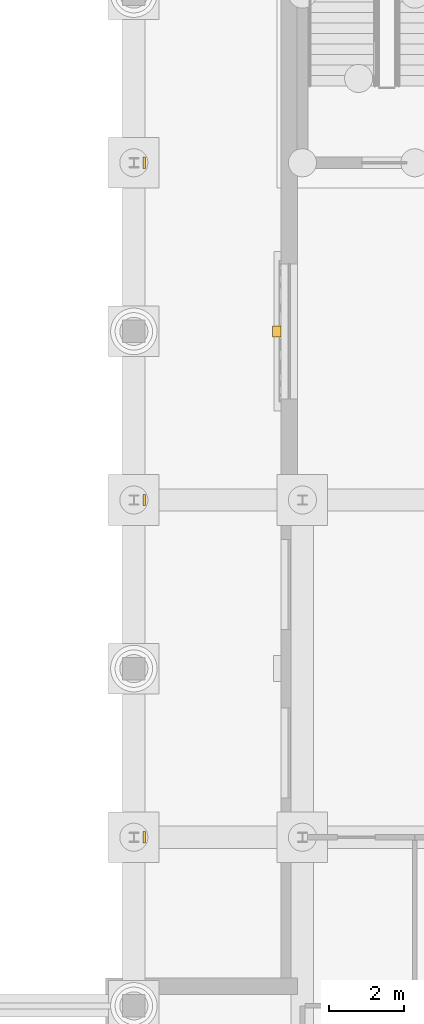
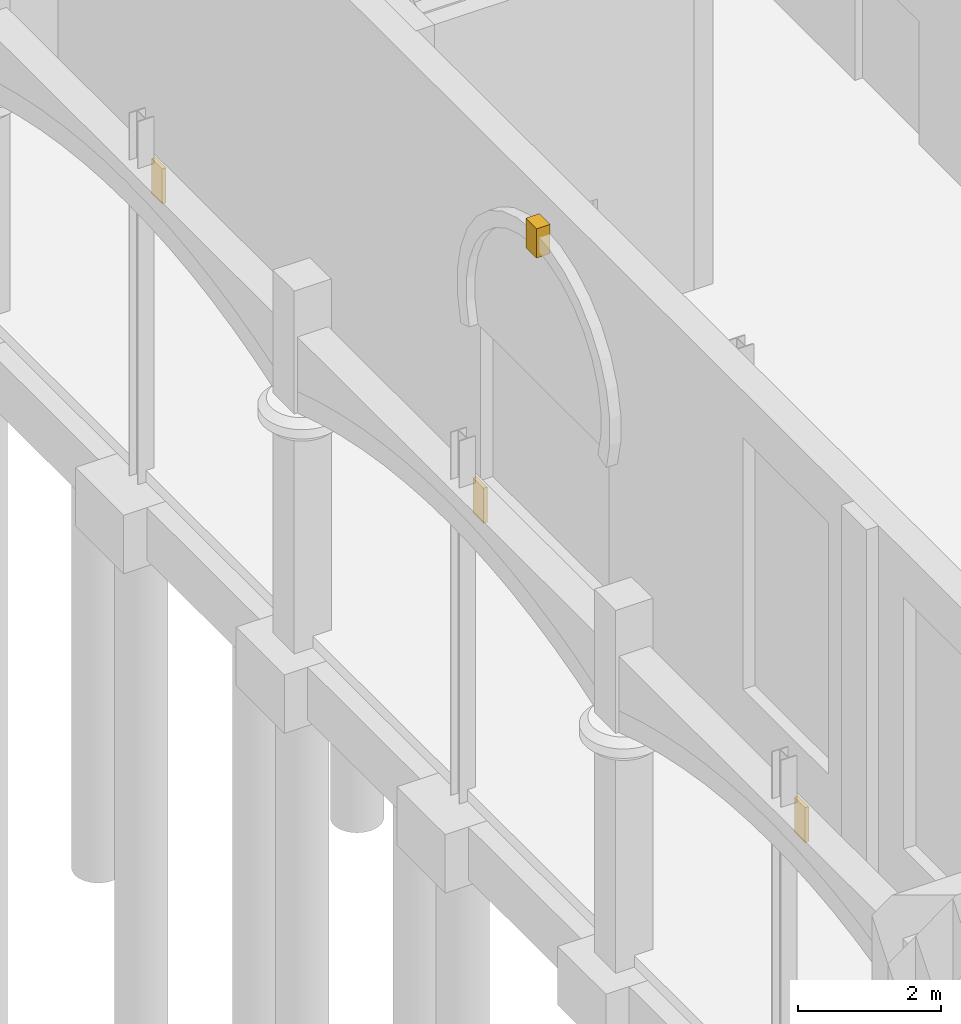
# One storey, part 104 of 106: 4 coverings.
"""IFC4 building model written with IfcOpenShell, lengths in metres."""

from ifc_helpers import new_model, si_unit, direction, frame, origin, origin_2d, place, context, subcontext, project, spatial, rectangle, extrude, material, layer, layer_set, type_object, element, save


model = new_model("IFC4")

# Units and contexts
model_context = context("Model", 3, precision=1e-05, world=origin(), true_north=direction((0.0, 1.0)))
body_context = subcontext(model_context, "Body", "Model", "MODEL_VIEW")
ifc_project = project(units=[si_unit("LENGTHUNIT", "METRE"), si_unit("AREAUNIT", "SQUARE_METRE"), si_unit("VOLUMEUNIT", "CUBIC_METRE"), si_unit("PLANEANGLEUNIT", "RADIAN"), si_unit("MASSUNIT", "GRAM", prefix="KILO")], contexts=[model_context])

# Site, building, storey
site_placement = place(None, origin())
site = spatial("IfcSite", under=ifc_project, at=site_placement, CompositionType="ELEMENT")
building_placement = place(site_placement, origin())
building = spatial("IfcBuilding", under=site, at=building_placement, Name="Hortulan Conservatory and Botanical Research Centre", CompositionType="ELEMENT")
storey_placement = place(building_placement, origin())
storey = spatial("IfcBuildingStorey", under=building, at=storey_placement, Name="L00", CompositionType="ELEMENT", Elevation=0.0)

# Coverings
ifc_material = material(Name="Sandstone masonry (Hawkesbury yellow block)", Category="masonry")
ifc_layer_1 = layer(ifc_material, 0.219970703125)
ifc_layer_set_1 = layer_set([ifc_layer_1], Name="Sandstone Keystone 300x500")
covering_type_1 = type_object("IfcCoveringType", Name="Sandstone Keystone 300x500", PredefinedType="CLADDING", material=ifc_layer_set_1)
covering_placement = place(storey_placement, frame((80.31201171875, 58.5, 5.072509765625), z_axis=(0.0, 0.0, 1.0), x_axis=(0.0, 1.0, 0.0)))
element("IfcCovering", 1, at=covering_placement, inside=storey, type_object=covering_type_1, Name="Keystone", PredefinedType="CLADDING", context=body_context, shape_type="SweptSolid", body=[
    extrude(rectangle(XDim=0.300048828125, YDim=0.219970703125, at=origin_2d()), origin(), (0.0, 0.0, 1.0), 0.5),
])
ifc_layer_2 = layer(ifc_material, 0.06005859375)
ifc_layer_set_2 = layer_set([ifc_layer_2], Name="Sandstone Keystone 300x600")
covering_type_2 = type_object("IfcCoveringType", Name="Sandstone Keystone 300x600", PredefinedType="CLADDING", material=ifc_layer_set_2)
for number, where, z_axis, x_axis, name in (
    (2, (76.780029296875, 45.0, 4.474853515625), (0.0, 0.0, 1.0), (0.0, 1.0, 0.0), "Keystone"),
    (3, (76.780029296875, 54.0, 4.474853515625), (0.0, 0.0, 1.0), (0.0, 1.0, 0.0), "Keystone"),
    (4, (76.780029296875, 63.0, 4.474853515625), (0.0, 0.0, 1.0), (0.0, 1.0, 0.0), "Keystone"),
):
    element("IfcCovering", number, at=place(storey_placement, frame(where, z_axis=z_axis, x_axis=x_axis)), inside=storey, type_object=covering_type_2, Name=name, PredefinedType="CLADDING", context=body_context, shape_type="SweptSolid", body=[
        extrude(rectangle(XDim=0.300048828125, YDim=0.06005859375, at=origin_2d()), origin(), (0.0, 0.0, 1.0), 0.60009765625),
    ])

save(model, "model.ifc")
